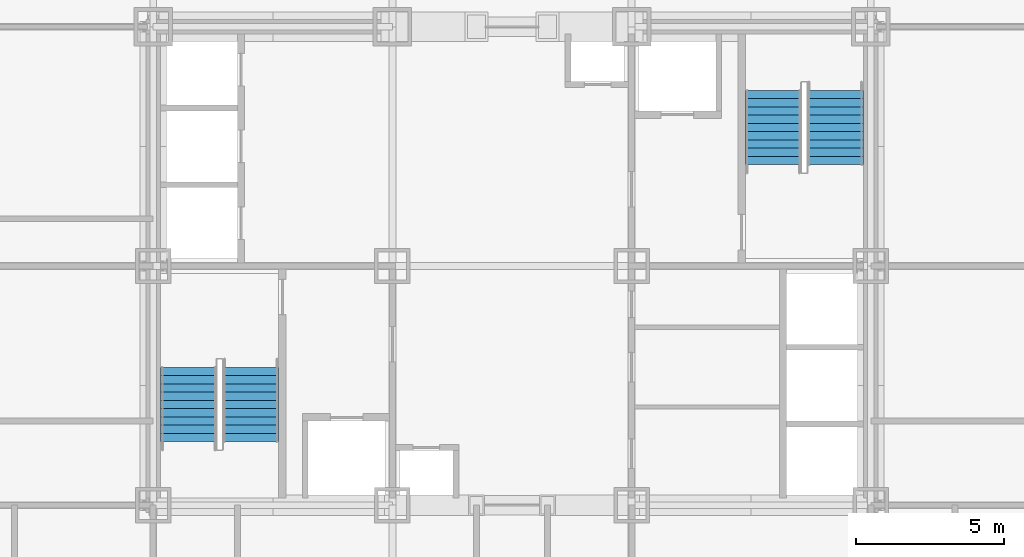
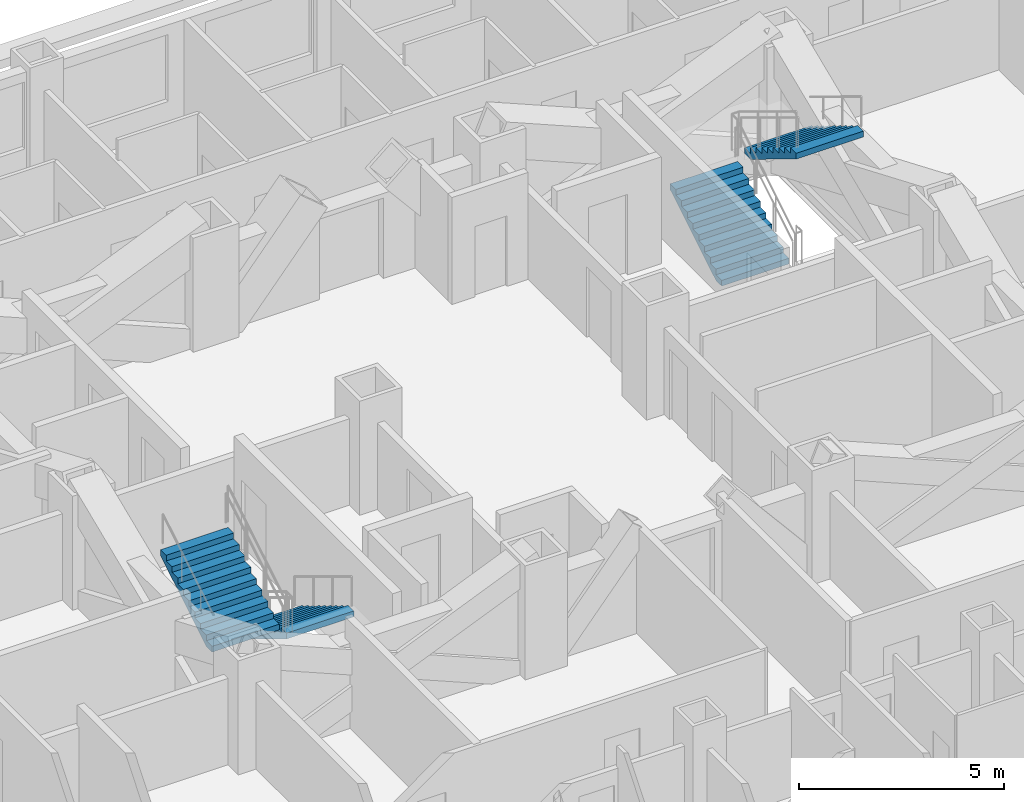
# One storey, part 11 of 12: 4 stair flights, 2 elements without a shape of their own.
"""IFC4 building model written with IfcOpenShell, lengths in metres."""

from ifc_helpers import new_model, si_unit, direction, frame, origin, place, context, subcontext, project, spatial, polygons, source, transform, mapped, material, type_object, element, aggregate, save


model = new_model("IFC4")

# Units and contexts
model_context = context("Model", 3, precision=1e-05, world=origin(), true_north=direction((0.0, 1.0)))
body_context = subcontext(model_context, "Body", "Model", "MODEL_VIEW")
ifc_project = project(units=[si_unit("LENGTHUNIT", "METRE"), si_unit("AREAUNIT", "SQUARE_METRE"), si_unit("VOLUMEUNIT", "CUBIC_METRE"), si_unit("PLANEANGLEUNIT", "RADIAN"), si_unit("MASSUNIT", "GRAM", prefix="KILO")], contexts=[model_context])

# Site, building, storey
site_placement = place(None, origin())
site = spatial("IfcSite", under=ifc_project, at=site_placement, CompositionType="ELEMENT")
building_placement = place(site_placement, origin())
building = spatial("IfcBuilding", under=site, at=building_placement, Name="Kopane Lantern Tower", CompositionType="ELEMENT")
storey_placement = place(building_placement, frame((0.0, 0.0, 43.199951171875)))
storey = spatial("IfcBuildingStorey", under=building, at=storey_placement, Name="L09", CompositionType="ELEMENT", Elevation=43.199951171875)

# Stair, stair flights
ifc_material_1 = material(Name="Steel S355JR", Category="steel")
stair_type = type_object("IfcStairType", Name="EXIT STAIR 1900 HALF TURN", PredefinedType="HALF_TURN_STAIR", material=ifc_material_1)
stair_1_placement = place(storey_placement, origin())
stair_1 = element("IfcStair", 1, at=stair_1_placement, inside=storey, type_object=stair_type, Name="Exit stair ST1 L09", PredefinedType="HALF_TURN_STAIR")
ifc_material_2 = material(Name="Steel S355JR", Category="steel")
stair_flight_type = type_object("IfcStairFlightType", Name="STAIR FLIGHT 1900 STEEL", PredefinedType="STRAIGHT", material=ifc_material_2)
shared_shape = source(origin(), body_context, "Body", "Tessellation", [
    polygons([(2.520019531, 0.949951172, 1.530029297), (2.239990234, 0.949951172, 1.530029297), (2.239990234, -0.949951172, 1.530029297), (2.520019531, -0.949951172, 1.530029297), (0.288818359, 0.949951172, 0.0), (2.520019531, 0.949951172, 1.354736328), (2.520019531, -0.949951172, 1.354736328), (0.288818359, -0.949951172, 0.0), (0.0, 0.949951172, 0.0), (0.0, -0.949951172, 0.0), (0.280029297, 0.949951172, 0.169921875), (0.0, 0.949951172, 0.169921875), (0.0, -0.949951172, 0.169921875), (0.280029297, -0.949951172, 0.169921875), (0.280029297, 0.949951172, 0.340087891), (0.280029297, -0.949951172, 0.340087891), (0.560058594, 0.949951172, 0.340087891), (0.560058594, -0.949951172, 0.340087891), (0.560058594, 0.949951172, 0.510009766), (0.560058594, -0.949951172, 0.510009766), (0.840087891, 0.949951172, 0.510009766), (0.840087891, -0.949951172, 0.510009766), (0.840087891, 0.949951172, 0.679931641), (0.840087891, -0.949951172, 0.679931641), (1.120117188, 0.949951172, 0.679931641), (1.120117188, -0.949951172, 0.679931641), (1.120117188, 0.949951172, 0.850097656), (1.120117188, -0.949951172, 0.850097656), (1.399902344, 0.949951172, 0.850097656), (1.399902344, -0.949951172, 0.850097656), (1.399902344, 0.949951172, 1.020019531), (1.399902344, -0.949951172, 1.020019531), (1.679931641, 0.949951172, 1.020019531), (1.679931641, -0.949951172, 1.020019531), (1.679931641, 0.949951172, 1.189941406), (1.679931641, -0.949951172, 1.189941406), (1.959960938, 0.949951172, 1.189941406), (1.959960938, -0.949951172, 1.189941406), (1.959960938, 0.949951172, 1.360107422), (1.959960938, -0.949951172, 1.360107422), (2.239990234, 0.949951172, 1.360107422), (2.239990234, -0.949951172, 1.360107422), (0.0, 0.0, 0.004592483), (0.0, 0.0, 0.009184966), (0.0, 0.0, 0.013777449), (0.0, 0.0, 0.018369932), (0.0, 0.0, 0.022962416), (0.0, 0.0, 0.027554899), (0.0, 0.0, 0.032147382), (0.0, 0.0, 0.036739865), (0.0, 0.0, 0.041332348), (0.0, 0.0, 0.045924831), (0.0, 0.0, 0.050517314), (0.0, 0.0, 0.055109797), (0.0, 0.0, 0.05970228), (0.0, 0.0, 0.064294764), (0.0, 0.0, 0.068887247), (0.0, 0.0, 0.07347973), (0.0, 0.0, 0.078072213), (0.0, 0.0, 0.082664696), (0.0, 0.0, 0.087257179), (0.0, 0.0, 0.091849662), (0.0, 0.0, 0.096442145), (0.0, 0.0, 0.101034628), (0.0, 0.0, 0.105627111), (0.0, 0.0, 0.110219595), (0.0, 0.0, 0.114812078), (0.0, 0.0, 0.119404561), (0.0, 0.0, 0.123997044), (0.0, 0.0, 0.128589527), (0.0, 0.0, 0.13318201), (0.0, 0.0, 0.137774493), (0.0, 0.0, 0.142366976), (0.0, 0.0, 0.146959459), (0.0, 0.0, 0.151551943), (0.0, 0.0, 0.156144426), (0.0, 0.0, 0.160736909), (0.0, 0.0, 0.165329392), (2.520019531, 0.0, 1.359473976), (2.520019531, 0.0, 1.364211624), (2.520019531, 0.0, 1.368949272), (2.520019531, 0.0, 1.373686919), (2.520019531, 0.0, 1.378424567), (2.520019531, 0.0, 1.383162215), (2.520019531, 0.0, 1.387899863), (2.520019531, 0.0, 1.392637511), (2.520019531, 0.0, 1.397375158), (2.520019531, 0.0, 1.402112806), (2.520019531, 0.0, 1.406850454), (2.520019531, 0.0, 1.411588102), (2.520019531, 0.0, 1.41632575), (2.520019531, 0.0, 1.421063397), (2.520019531, 0.0, 1.425801045), (2.520019531, 0.0, 1.430538693), (2.520019531, 0.0, 1.435276341), (2.520019531, 0.0, 1.440013989), (2.520019531, 0.0, 1.444751636), (2.520019531, 0.0, 1.449489284), (2.520019531, 0.0, 1.454226932), (2.520019531, 0.0, 1.45896458), (2.520019531, 0.0, 1.463702228), (2.520019531, 0.0, 1.468439875), (2.520019531, 0.0, 1.473177523), (2.520019531, 0.0, 1.477915171), (2.520019531, 0.0, 1.482652819), (2.520019531, 0.0, 1.487390467), (2.520019531, 0.0, 1.492128114), (2.520019531, 0.0, 1.496865762), (2.520019531, 0.0, 1.50160341), (2.520019531, 0.0, 1.506341058), (2.520019531, 0.0, 1.511078706), (2.520019531, 0.0, 1.515816353), (2.520019531, 0.0, 1.520554001), (2.520019531, 0.0, 1.525291649)], [[[1, 2, 3]], [[1, 3, 4]], [[5, 6, 7]], [[5, 7, 8]], [[9, 5, 8]], [[9, 8, 10]], [[11, 12, 13]], [[11, 13, 14]], [[15, 11, 14]], [[15, 14, 16]], [[17, 15, 16]], [[17, 16, 18]], [[19, 17, 18]], [[19, 18, 20]], [[21, 19, 20]], [[21, 20, 22]], [[23, 21, 22]], [[23, 22, 24]], [[25, 23, 24]], [[25, 24, 26]], [[27, 25, 26]], [[27, 26, 28]], [[29, 27, 28]], [[29, 28, 30]], [[31, 29, 30]], [[31, 30, 32]], [[33, 31, 32]], [[33, 32, 34]], [[35, 33, 34]], [[35, 34, 36]], [[37, 35, 36]], [[37, 36, 38]], [[39, 37, 38]], [[39, 38, 40]], [[41, 39, 40]], [[41, 40, 42]], [[2, 41, 42]], [[2, 42, 3]], [[41, 1, 6]], [[37, 41, 6]], [[2, 1, 41]], [[33, 37, 6]], [[39, 41, 37]], [[35, 37, 33]], [[31, 33, 29]], [[5, 21, 25]], [[27, 29, 25]], [[17, 21, 5]], [[23, 25, 21]], [[11, 17, 5]], [[19, 21, 17]], [[9, 11, 5]], [[15, 17, 11]], [[12, 11, 9]], [[6, 5, 25]], [[6, 25, 29]], [[6, 29, 33]], [[7, 4, 42]], [[7, 42, 38]], [[42, 4, 3]], [[7, 38, 34]], [[38, 42, 40]], [[34, 38, 36]], [[30, 34, 32]], [[26, 22, 8]], [[26, 30, 28]], [[8, 22, 18]], [[22, 26, 24]], [[8, 18, 14]], [[18, 22, 20]], [[8, 14, 10]], [[14, 18, 16]], [[10, 14, 13]], [[26, 8, 7]], [[30, 26, 7]], [[34, 30, 7]], [[10, 43, 9]], [[10, 44, 43]], [[9, 43, 44]], [[10, 45, 44]], [[9, 44, 45]], [[10, 46, 45]], [[9, 45, 46]], [[10, 47, 46]], [[9, 46, 47]], [[10, 48, 47]], [[9, 47, 48]], [[10, 49, 48]], [[9, 48, 49]], [[10, 50, 49]], [[9, 49, 50]], [[10, 51, 50]], [[9, 50, 51]], [[10, 52, 51]], [[9, 51, 52]], [[10, 53, 52]], [[9, 52, 53]], [[10, 54, 53]], [[9, 53, 54]], [[10, 55, 54]], [[9, 54, 55]], [[10, 56, 55]], [[9, 55, 56]], [[10, 57, 56]], [[9, 56, 57]], [[10, 58, 57]], [[9, 57, 58]], [[10, 59, 58]], [[9, 58, 59]], [[10, 60, 59]], [[9, 59, 60]], [[10, 61, 60]], [[9, 60, 61]], [[10, 62, 61]], [[9, 61, 62]], [[10, 63, 62]], [[9, 62, 63]], [[10, 64, 63]], [[9, 63, 64]], [[10, 65, 64]], [[9, 64, 65]], [[10, 66, 65]], [[9, 65, 66]], [[10, 67, 66]], [[9, 66, 67]], [[10, 68, 67]], [[9, 67, 68]], [[10, 69, 68]], [[9, 68, 69]], [[10, 70, 69]], [[9, 69, 70]], [[10, 71, 70]], [[9, 70, 71]], [[10, 72, 71]], [[9, 71, 72]], [[10, 73, 72]], [[9, 72, 73]], [[10, 74, 73]], [[9, 73, 74]], [[10, 75, 74]], [[9, 74, 75]], [[10, 76, 75]], [[9, 75, 76]], [[10, 77, 76]], [[9, 76, 77]], [[10, 78, 77]], [[9, 77, 78]], [[10, 13, 78]], [[78, 13, 12]], [[9, 78, 12]], [[7, 6, 79]], [[7, 79, 80]], [[6, 80, 79]], [[7, 80, 81]], [[6, 81, 80]], [[7, 81, 82]], [[6, 82, 81]], [[7, 82, 83]], [[6, 83, 82]], [[7, 83, 84]], [[6, 84, 83]], [[7, 84, 85]], [[6, 85, 84]], [[7, 85, 86]], [[6, 86, 85]], [[7, 86, 87]], [[6, 87, 86]], [[7, 87, 88]], [[6, 88, 87]], [[7, 88, 89]], [[6, 89, 88]], [[7, 89, 90]], [[6, 90, 89]], [[7, 90, 91]], [[6, 91, 90]], [[7, 91, 92]], [[6, 92, 91]], [[7, 92, 93]], [[6, 93, 92]], [[7, 93, 94]], [[6, 94, 93]], [[7, 94, 95]], [[6, 95, 94]], [[7, 95, 96]], [[6, 96, 95]], [[7, 96, 97]], [[6, 97, 96]], [[7, 97, 98]], [[6, 98, 97]], [[7, 98, 99]], [[6, 99, 98]], [[7, 99, 100]], [[6, 100, 99]], [[7, 100, 101]], [[6, 101, 100]], [[7, 101, 102]], [[6, 102, 101]], [[7, 102, 103]], [[6, 103, 102]], [[7, 103, 104]], [[6, 104, 103]], [[7, 104, 105]], [[6, 105, 104]], [[7, 105, 106]], [[6, 106, 105]], [[7, 106, 107]], [[6, 107, 106]], [[7, 107, 108]], [[6, 108, 107]], [[7, 108, 109]], [[6, 109, 108]], [[7, 109, 110]], [[6, 110, 109]], [[7, 110, 111]], [[6, 111, 110]], [[7, 111, 112]], [[6, 112, 111]], [[7, 112, 113]], [[6, 113, 112]], [[7, 113, 114]], [[6, 114, 113]], [[7, 114, 4]], [[114, 1, 4]], [[6, 1, 114]]], closed=True),
])
stair_flight_1_placement = place(storey_placement, frame((19.5, 28.969970703125, 0.0), z_axis=(0.0, 0.0, 1.0), x_axis=(0.0, -1.0, 0.0)))
stair_flight_1 = element("IfcStairFlight", 2, at=stair_flight_1_placement, type_object=stair_flight_type, Name="ST1 flight 1", NumberOfRisers=10, NumberOfTreads=9, PredefinedType="STRAIGHT", RiserHeight=0.17, TreadLength=0.28, context=body_context, shape_type="MappedRepresentation", body=[
    mapped(shared_shape, transform((0.0, 0.0, 0.0))),
])
stair_flight_2_placement = place(storey_placement, frame((17.39990234375, 26.449951171875, 1.699951171875), z_axis=(0.0, 0.0, 1.0), x_axis=(0.0, 1.0, 0.0)))
stair_flight_2 = element("IfcStairFlight", 3, at=stair_flight_2_placement, type_object=stair_flight_type, Name="ST1 flight 2", NumberOfRisers=10, NumberOfTreads=9, PredefinedType="STRAIGHT", RiserHeight=0.17, TreadLength=0.28, context=body_context, shape_type="MappedRepresentation", body=[
    mapped(shared_shape, transform((0.0, 0.0, 0.0))),
])
aggregate(stair_1, [stair_flight_1, stair_flight_2])

stair_2_placement = place(storey_placement, origin())
stair_2 = element("IfcStair", 4, at=stair_2_placement, inside=storey, type_object=stair_type, Name="Exit stair ST2 L09", PredefinedType="HALF_TURN_STAIR")
stair_flight_3_placement = place(storey_placement, frame((37.199951171875, 35.830078125, 0.0), z_axis=(0.0, 0.0, 1.0), x_axis=(0.0, 1.0, 0.0)))
stair_flight_3 = element("IfcStairFlight", 5, at=stair_flight_3_placement, type_object=stair_flight_type, Name="ST2 flight 1", NumberOfRisers=10, NumberOfTreads=9, PredefinedType="STRAIGHT", RiserHeight=0.17, TreadLength=0.28, context=body_context, shape_type="MappedRepresentation", body=[
    mapped(shared_shape, transform((0.0, 0.0, 0.0))),
])
stair_flight_4_placement = place(storey_placement, frame((39.300048828125, 38.35009765625, 1.699951171875), z_axis=(0.0, 0.0, 1.0), x_axis=(0.0, -1.0, 0.0)))
stair_flight_4 = element("IfcStairFlight", 6, at=stair_flight_4_placement, type_object=stair_flight_type, Name="ST2 flight 2", NumberOfRisers=10, NumberOfTreads=9, PredefinedType="STRAIGHT", RiserHeight=0.17, TreadLength=0.28, context=body_context, shape_type="MappedRepresentation", body=[
    mapped(shared_shape, transform((0.0, 0.0, 0.0))),
])
aggregate(stair_2, [stair_flight_3, stair_flight_4])

save(model, "model.ifc")
